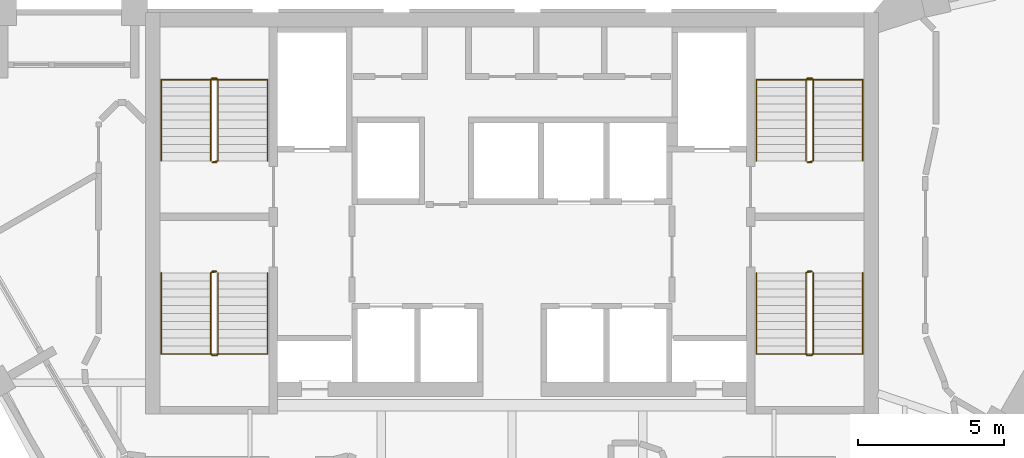
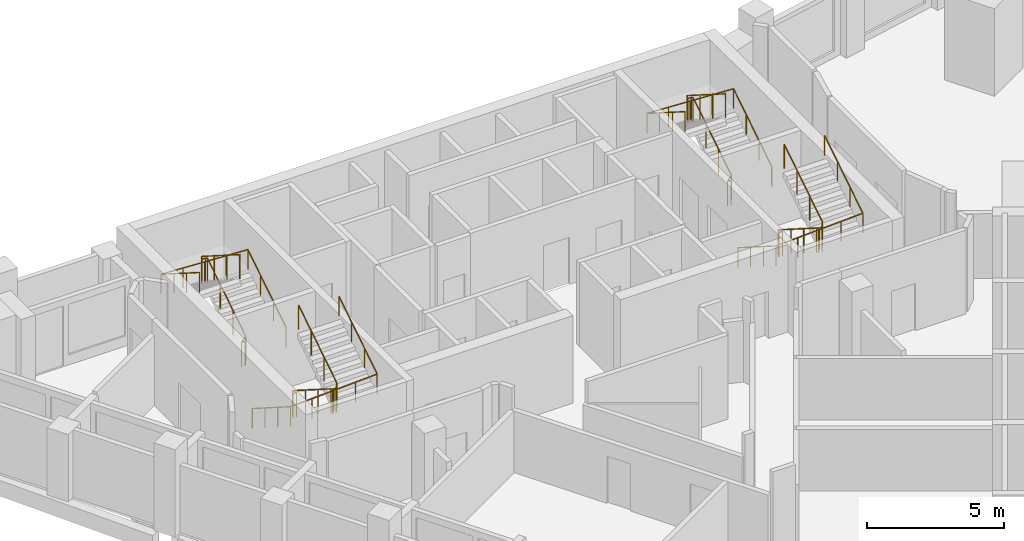
# One storey, part 9 of 9: 8 railings.
"""IFC4 building model written with IfcOpenShell, lengths in metres."""

from ifc_helpers import new_model, si_unit, direction, frame, origin, origin_2d, place, context, subcontext, project, spatial, circle, extrude, material, type_object, element, save


model = new_model("IFC4")

# Units and contexts
model_context = context("Model", 3, precision=1e-05, world=origin(), true_north=direction((0.0, 1.0)))
body_context = subcontext(model_context, "Body", "Model", "MODEL_VIEW")
ifc_project = project(units=[si_unit("LENGTHUNIT", "METRE"), si_unit("AREAUNIT", "SQUARE_METRE"), si_unit("VOLUMEUNIT", "CUBIC_METRE"), si_unit("PLANEANGLEUNIT", "RADIAN"), si_unit("MASSUNIT", "GRAM", prefix="KILO")], contexts=[model_context])

# Site, building, storey
site_placement = place(None, origin())
site = spatial("IfcSite", under=ifc_project, at=site_placement, CompositionType="ELEMENT")
building_placement = place(site_placement, origin())
building = spatial("IfcBuilding", under=site, at=building_placement, Name="Calabash Gate Tower", CompositionType="ELEMENT")
storey_placement = place(building_placement, frame((0.0, 0.0, 291.10009765625)))
storey = spatial("IfcBuildingStorey", under=building, at=storey_placement, Name="L70", CompositionType="ELEMENT", Elevation=291.10009765625)

# Railings
ifc_material_1 = material(Name="Black powder-coated steel balusters", Category="steel")
railing_type_1 = type_object("IfcRailingType", Name="Stair guard RL1100", PredefinedType="GUARDRAIL", material=ifc_material_1)
railing_1_placement = place(storey_placement, frame((-10.14990234375, 13.902587890625, 0.0)))
element("IfcRailing", 1, at=railing_1_placement, inside=storey, type_object=railing_type_1, Name="L70 ST1 stair guard 1", PredefinedType="GUARDRAIL", context=body_context, shape_type="SweptSolid", body=[
    extrude(circle(Radius=0.02392578125, at=origin_2d()), frame((0.0, 0.0, 1.076171875), z_axis=(-1.0, 0.0, 0.0), x_axis=(0.0, -1.0, 0.0)), (0.0, 0.0, 1.0), 0.150146484375),
    extrude(circle(Radius=0.02392578125, at=origin_2d()), frame((-0.150146484375, 0.0, 1.076171875), z_axis=(0.735524641326, 0.184105679453, 0.652003528208), x_axis=(-0.242814311512, 0.970072785993, 0.0)), (0.0, 0.0, 1.0), 0.271728515625),
    extrude(circle(Radius=0.02392578125, at=origin_2d()), frame((0.0498046875, 0.050048828125, 1.25341796875), z_axis=(0.0, 0.844041424197, 0.536277982245), x_axis=(-1.0, 0.0, 0.0)), (0.0, 0.0, 1.0), 3.3056640625),
    extrude(circle(Radius=0.02392578125, at=origin_2d()), frame((0.0498046875, 2.840087890625, 3.02587890625), z_axis=(-0.707106781187, 0.707106781187, 0.0), x_axis=(-0.707106781187, -0.707106781187, 0.0)), (0.0, 0.0, 1.0), 0.0703125),
    extrude(circle(Radius=0.02392578125, at=origin_2d()), frame((0.0, 2.889892578125, 3.02587890625), z_axis=(-1.0, 0.0, 0.0), x_axis=(0.0, -1.0, 0.0)), (0.0, 0.0, 1.0), 0.150146484375),
    extrude(circle(Radius=0.02392578125, at=origin_2d()), frame((-0.150146484375, 2.889892578125, 3.02587890625), z_axis=(-0.262321481514, -0.261041864531, 0.929001929653), x_axis=(0.705375805398, -0.708833529934, 0.0)), (0.0, 0.0, 1.0), 0.190673828125),
    extrude(circle(Radius=0.02392578125, at=origin_2d()), frame((-0.2001953125, 2.840087890625, 3.203125), z_axis=(0.0, -0.844041424197, 0.536277982245), x_axis=(1.0, 0.0, 0.0)), (0.0, 0.0, 1.0), 3.3056640625),
    extrude(circle(Radius=0.02099609375, at=origin_2d()), origin(), (0.0, 0.0, 1.0), 1.052001953125),
    extrude(circle(Radius=0.02099609375, at=origin_2d()), frame((-0.150146484375, 0.0, 0.0)), (0.0, 0.0, 1.0), 1.052001953125),
    extrude(circle(Radius=0.02099609375, at=origin_2d()), frame((0.0498046875, 0.050048828125, 0.17724609375)), (0.0, 0.0, 1.0), 1.052001953125),
    extrude(circle(Radius=0.02099609375, at=origin_2d()), frame((0.0498046875, 0.97998046875, 0.76806640625)), (0.0, 0.0, 1.0), 1.052001953125),
    extrude(circle(Radius=0.02099609375, at=origin_2d()), frame((0.0498046875, 1.91015625, 1.359130859375)), (0.0, 0.0, 1.0), 1.052001953125),
    extrude(circle(Radius=0.02099609375, at=origin_2d()), frame((0.0498046875, 2.840087890625, 1.949951171875)), (0.0, 0.0, 1.0), 1.052001953125),
    extrude(circle(Radius=0.02099609375, at=origin_2d()), frame((0.0, 2.889892578125, 1.949951171875)), (0.0, 0.0, 1.0), 1.052001953125),
    extrude(circle(Radius=0.02099609375, at=origin_2d()), frame((-0.150146484375, 2.889892578125, 1.949951171875)), (0.0, 0.0, 1.0), 1.052001953125),
    extrude(circle(Radius=0.02099609375, at=origin_2d()), frame((-0.2001953125, 2.840087890625, 2.127197265625)), (0.0, 0.0, 1.0), 1.052001953125),
    extrude(circle(Radius=0.02099609375, at=origin_2d()), frame((-0.2001953125, 1.91015625, 2.718017578125)), (0.0, 0.0, 1.0), 1.052001953125),
    extrude(circle(Radius=0.02099609375, at=origin_2d()), frame((-0.2001953125, 0.97998046875, 3.30908203125)), (0.0, 0.0, 1.0), 1.052001953125),
    extrude(circle(Radius=0.02099609375, at=origin_2d()), frame((-0.2001953125, 0.050048828125, 3.89990234375)), (0.0, 0.0, 1.0), 1.052001953125),
])
railing_2_placement = place(storey_placement, frame((-10.300048828125, 10.152587890625, 0.0)))
element("IfcRailing", 2, at=railing_2_placement, inside=storey, type_object=railing_type_1, Name="L70 ST2 stair guard 1", PredefinedType="GUARDRAIL", context=body_context, shape_type="SweptSolid", body=[
    extrude(circle(Radius=0.02392578125, at=origin_2d()), frame((0.0, 0.0, 1.076171875), z_axis=(1.0, 0.0, 0.0), x_axis=(0.0, 1.0, 0.0)), (0.0, 0.0, 1.0), 0.150146484375),
    extrude(circle(Radius=0.02392578125, at=origin_2d()), frame((0.150146484375, 0.0, 1.076171875), z_axis=(-0.735936453418, -0.183984113355, 0.651573006319), x_axis=(0.242535625036, -0.970142500145, 0.0)), (0.0, 0.0, 1.0), 0.27197265625),
    extrude(circle(Radius=0.02392578125, at=origin_2d()), frame((-0.050048828125, -0.050048828125, 1.25341796875), z_axis=(0.0, -0.844041424197, 0.536277982245), x_axis=(1.0, 0.0, 0.0)), (0.0, 0.0, 1.0), 3.3056640625),
    extrude(circle(Radius=0.02392578125, at=origin_2d()), frame((-0.050048828125, -2.840087890625, 3.02587890625), z_axis=(0.708833529934, -0.705375805398, 0.0), x_axis=(0.705375805398, 0.708833529934, 0.0)), (0.0, 0.0, 1.0), 0.070556640625),
    extrude(circle(Radius=0.02392578125, at=origin_2d()), frame((0.0, -2.889892578125, 3.02587890625), z_axis=(1.0, 0.0, 0.0), x_axis=(0.0, 1.0, 0.0)), (0.0, 0.0, 1.0), 0.150146484375),
    extrude(circle(Radius=0.02392578125, at=origin_2d()), frame((0.150146484375, -2.889892578125, 3.02587890625), z_axis=(0.261129318932, 0.261129318932, 0.929313164433), x_axis=(-0.707106781187, 0.707106781187, 0.0)), (0.0, 0.0, 1.0), 0.190673828125),
    extrude(circle(Radius=0.02392578125, at=origin_2d()), frame((0.199951171875, -2.840087890625, 3.203125), z_axis=(0.0, 0.844041424197, 0.536277982245), x_axis=(-1.0, 0.0, 0.0)), (0.0, 0.0, 1.0), 3.3056640625),
    extrude(circle(Radius=0.02099609375, at=origin_2d()), origin(), (0.0, 0.0, 1.0), 1.052001953125),
    extrude(circle(Radius=0.02099609375, at=origin_2d()), frame((0.150146484375, 0.0, 0.0)), (0.0, 0.0, 1.0), 1.052001953125),
    extrude(circle(Radius=0.02099609375, at=origin_2d()), frame((-0.050048828125, -0.050048828125, 0.17724609375)), (0.0, 0.0, 1.0), 1.052001953125),
    extrude(circle(Radius=0.02099609375, at=origin_2d()), frame((-0.050048828125, -0.97998046875, 0.76806640625)), (0.0, 0.0, 1.0), 1.052001953125),
    extrude(circle(Radius=0.02099609375, at=origin_2d()), frame((-0.050048828125, -1.91015625, 1.359130859375)), (0.0, 0.0, 1.0), 1.052001953125),
    extrude(circle(Radius=0.02099609375, at=origin_2d()), frame((-0.050048828125, -2.840087890625, 1.949951171875)), (0.0, 0.0, 1.0), 1.052001953125),
    extrude(circle(Radius=0.02099609375, at=origin_2d()), frame((0.0, -2.889892578125, 1.949951171875)), (0.0, 0.0, 1.0), 1.052001953125),
    extrude(circle(Radius=0.02099609375, at=origin_2d()), frame((0.150146484375, -2.889892578125, 1.949951171875)), (0.0, 0.0, 1.0), 1.052001953125),
    extrude(circle(Radius=0.02099609375, at=origin_2d()), frame((0.199951171875, -2.840087890625, 2.127197265625)), (0.0, 0.0, 1.0), 1.052001953125),
    extrude(circle(Radius=0.02099609375, at=origin_2d()), frame((0.199951171875, -1.91015625, 2.718017578125)), (0.0, 0.0, 1.0), 1.052001953125),
    extrude(circle(Radius=0.02099609375, at=origin_2d()), frame((0.199951171875, -0.97998046875, 3.30908203125)), (0.0, 0.0, 1.0), 1.052001953125),
    extrude(circle(Radius=0.02099609375, at=origin_2d()), frame((0.199951171875, -0.050048828125, 3.89990234375)), (0.0, 0.0, 1.0), 1.052001953125),
])
railing_3_placement = place(storey_placement, frame((10.300048828125, 13.902587890625, 0.0)))
element("IfcRailing", 3, at=railing_3_placement, inside=storey, type_object=railing_type_1, Name="L70 ST3 stair guard 1", PredefinedType="GUARDRAIL", context=body_context, shape_type="SweptSolid", body=[
    extrude(circle(Radius=0.02392578125, at=origin_2d()), frame((0.0, 0.0, 1.076171875), z_axis=(-1.0, 0.0, 0.0), x_axis=(0.0, -1.0, 0.0)), (0.0, 0.0, 1.0), 0.150146484375),
    extrude(circle(Radius=0.02392578125, at=origin_2d()), frame((-0.150146484375, 0.0, 1.076171875), z_axis=(0.735936453418, 0.183984113355, 0.651573006319), x_axis=(-0.242535625036, 0.970142500145, 0.0)), (0.0, 0.0, 1.0), 0.27197265625),
    extrude(circle(Radius=0.02392578125, at=origin_2d()), frame((0.050048828125, 0.050048828125, 1.25341796875), z_axis=(0.0, 0.844041424197, 0.536277982245), x_axis=(-1.0, 0.0, 0.0)), (0.0, 0.0, 1.0), 3.3056640625),
    extrude(circle(Radius=0.02392578125, at=origin_2d()), frame((0.050048828125, 2.840087890625, 3.02587890625), z_axis=(-0.708833529934, 0.705375805398, 0.0), x_axis=(-0.705375805398, -0.708833529934, 0.0)), (0.0, 0.0, 1.0), 0.070556640625),
    extrude(circle(Radius=0.02392578125, at=origin_2d()), frame((0.0, 2.889892578125, 3.02587890625), z_axis=(-1.0, 0.0, 0.0), x_axis=(0.0, -1.0, 0.0)), (0.0, 0.0, 1.0), 0.150146484375),
    extrude(circle(Radius=0.02392578125, at=origin_2d()), frame((-0.150146484375, 2.889892578125, 3.02587890625), z_axis=(-0.261129318932, -0.261129318932, 0.929313164433), x_axis=(0.707106781187, -0.707106781187, 0.0)), (0.0, 0.0, 1.0), 0.190673828125),
    extrude(circle(Radius=0.02392578125, at=origin_2d()), frame((-0.199951171875, 2.840087890625, 3.203125), z_axis=(0.0, -0.844041424197, 0.536277982245), x_axis=(1.0, 0.0, 0.0)), (0.0, 0.0, 1.0), 3.3056640625),
    extrude(circle(Radius=0.02099609375, at=origin_2d()), origin(), (0.0, 0.0, 1.0), 1.052001953125),
    extrude(circle(Radius=0.02099609375, at=origin_2d()), frame((-0.150146484375, 0.0, 0.0)), (0.0, 0.0, 1.0), 1.052001953125),
    extrude(circle(Radius=0.02099609375, at=origin_2d()), frame((0.050048828125, 0.050048828125, 0.17724609375)), (0.0, 0.0, 1.0), 1.052001953125),
    extrude(circle(Radius=0.02099609375, at=origin_2d()), frame((0.050048828125, 0.97998046875, 0.76806640625)), (0.0, 0.0, 1.0), 1.052001953125),
    extrude(circle(Radius=0.02099609375, at=origin_2d()), frame((0.050048828125, 1.91015625, 1.359130859375)), (0.0, 0.0, 1.0), 1.052001953125),
    extrude(circle(Radius=0.02099609375, at=origin_2d()), frame((0.050048828125, 2.840087890625, 1.949951171875)), (0.0, 0.0, 1.0), 1.052001953125),
    extrude(circle(Radius=0.02099609375, at=origin_2d()), frame((0.0, 2.889892578125, 1.949951171875)), (0.0, 0.0, 1.0), 1.052001953125),
    extrude(circle(Radius=0.02099609375, at=origin_2d()), frame((-0.150146484375, 2.889892578125, 1.949951171875)), (0.0, 0.0, 1.0), 1.052001953125),
    extrude(circle(Radius=0.02099609375, at=origin_2d()), frame((-0.199951171875, 2.840087890625, 2.127197265625)), (0.0, 0.0, 1.0), 1.052001953125),
    extrude(circle(Radius=0.02099609375, at=origin_2d()), frame((-0.199951171875, 1.91015625, 2.718017578125)), (0.0, 0.0, 1.0), 1.052001953125),
    extrude(circle(Radius=0.02099609375, at=origin_2d()), frame((-0.199951171875, 0.97998046875, 3.30908203125)), (0.0, 0.0, 1.0), 1.052001953125),
    extrude(circle(Radius=0.02099609375, at=origin_2d()), frame((-0.199951171875, 0.050048828125, 3.89990234375)), (0.0, 0.0, 1.0), 1.052001953125),
])
railing_4_placement = place(storey_placement, frame((10.14990234375, 10.152587890625, 0.0)))
element("IfcRailing", 4, at=railing_4_placement, inside=storey, type_object=railing_type_1, Name="L70 ST4 stair guard 1", PredefinedType="GUARDRAIL", context=body_context, shape_type="SweptSolid", body=[
    extrude(circle(Radius=0.02392578125, at=origin_2d()), frame((0.0, 0.0, 1.076171875), z_axis=(1.0, 0.0, 0.0), x_axis=(0.0, 1.0, 0.0)), (0.0, 0.0, 1.0), 0.150146484375),
    extrude(circle(Radius=0.02392578125, at=origin_2d()), frame((0.150146484375, 0.0, 1.076171875), z_axis=(-0.735524641326, -0.184105679453, 0.652003528208), x_axis=(0.242814311512, -0.970072785993, 0.0)), (0.0, 0.0, 1.0), 0.271728515625),
    extrude(circle(Radius=0.02392578125, at=origin_2d()), frame((-0.0498046875, -0.050048828125, 1.25341796875), z_axis=(0.0, -0.844041424197, 0.536277982245), x_axis=(1.0, 0.0, 0.0)), (0.0, 0.0, 1.0), 3.3056640625),
    extrude(circle(Radius=0.02392578125, at=origin_2d()), frame((-0.0498046875, -2.840087890625, 3.02587890625), z_axis=(0.707106781187, -0.707106781187, 0.0), x_axis=(0.707106781187, 0.707106781187, 0.0)), (0.0, 0.0, 1.0), 0.0703125),
    extrude(circle(Radius=0.02392578125, at=origin_2d()), frame((0.0, -2.889892578125, 3.02587890625), z_axis=(1.0, 0.0, 0.0), x_axis=(0.0, 1.0, 0.0)), (0.0, 0.0, 1.0), 0.150146484375),
    extrude(circle(Radius=0.02392578125, at=origin_2d()), frame((0.150146484375, -2.889892578125, 3.02587890625), z_axis=(0.262321481514, 0.261041864531, 0.929001929653), x_axis=(-0.705375805398, 0.708833529934, 0.0)), (0.0, 0.0, 1.0), 0.190673828125),
    extrude(circle(Radius=0.02392578125, at=origin_2d()), frame((0.2001953125, -2.840087890625, 3.203125), z_axis=(0.0, 0.844041424197, 0.536277982245), x_axis=(-1.0, 0.0, 0.0)), (0.0, 0.0, 1.0), 3.3056640625),
    extrude(circle(Radius=0.02099609375, at=origin_2d()), origin(), (0.0, 0.0, 1.0), 1.052001953125),
    extrude(circle(Radius=0.02099609375, at=origin_2d()), frame((0.150146484375, 0.0, 0.0)), (0.0, 0.0, 1.0), 1.052001953125),
    extrude(circle(Radius=0.02099609375, at=origin_2d()), frame((-0.0498046875, -0.050048828125, 0.17724609375)), (0.0, 0.0, 1.0), 1.052001953125),
    extrude(circle(Radius=0.02099609375, at=origin_2d()), frame((-0.0498046875, -0.97998046875, 0.76806640625)), (0.0, 0.0, 1.0), 1.052001953125),
    extrude(circle(Radius=0.02099609375, at=origin_2d()), frame((-0.0498046875, -1.91015625, 1.359130859375)), (0.0, 0.0, 1.0), 1.052001953125),
    extrude(circle(Radius=0.02099609375, at=origin_2d()), frame((-0.0498046875, -2.840087890625, 1.949951171875)), (0.0, 0.0, 1.0), 1.052001953125),
    extrude(circle(Radius=0.02099609375, at=origin_2d()), frame((0.0, -2.889892578125, 1.949951171875)), (0.0, 0.0, 1.0), 1.052001953125),
    extrude(circle(Radius=0.02099609375, at=origin_2d()), frame((0.150146484375, -2.889892578125, 1.949951171875)), (0.0, 0.0, 1.0), 1.052001953125),
    extrude(circle(Radius=0.02099609375, at=origin_2d()), frame((0.2001953125, -2.840087890625, 2.127197265625)), (0.0, 0.0, 1.0), 1.052001953125),
    extrude(circle(Radius=0.02099609375, at=origin_2d()), frame((0.2001953125, -1.91015625, 2.718017578125)), (0.0, 0.0, 1.0), 1.052001953125),
    extrude(circle(Radius=0.02099609375, at=origin_2d()), frame((0.2001953125, -0.97998046875, 3.30908203125)), (0.0, 0.0, 1.0), 1.052001953125),
    extrude(circle(Radius=0.02099609375, at=origin_2d()), frame((0.2001953125, -0.050048828125, 3.89990234375)), (0.0, 0.0, 1.0), 1.052001953125),
])
ifc_material_2 = material(Name="Black powder-coated steel tube 48 mm", Category="steel")
railing_type_2 = type_object("IfcRailingType", Name="Stair handrail RL900", PredefinedType="HANDRAIL", material=ifc_material_2)
railing_5_placement = place(storey_placement, frame((-8.39990234375, 13.95263671875, 0.17724609375)))
element("IfcRailing", 5, at=railing_5_placement, inside=storey, type_object=railing_type_2, Name="L70 ST1 stair handrail 1", PredefinedType="HANDRAIL", context=body_context, shape_type="SweptSolid", body=[
    extrude(circle(Radius=0.02392578125, at=origin_2d()), frame((0.0, 0.0, 0.8759765625), z_axis=(0.0, 0.844041424197, 0.536277982245), x_axis=(-1.0, 0.0, 0.0)), (0.0, 0.0, 1.0), 3.3056640625),
    extrude(circle(Radius=0.02392578125, at=origin_2d()), frame((0.0, 2.7900390625, 2.6484375), z_axis=(-0.998823110844, 0.0, 0.048501476722), x_axis=(0.0, -1.0, 0.0)), (0.0, 0.0, 1.0), 3.654541015625),
    extrude(circle(Radius=0.02392578125, at=origin_2d()), frame((-3.650146484375, 2.7900390625, 2.82568359375), z_axis=(0.0, -0.844041424197, 0.536277982245), x_axis=(1.0, 0.0, 0.0)), (0.0, 0.0, 1.0), 3.3056640625),
    extrude(circle(Radius=0.02099609375, at=origin_2d()), origin(), (0.0, 0.0, 1.0), 0.851806640625),
    extrude(circle(Radius=0.02099609375, at=origin_2d()), frame((0.0, 0.929931640625, 0.5908203125)), (0.0, 0.0, 1.0), 0.851806640625),
    extrude(circle(Radius=0.02099609375, at=origin_2d()), frame((0.0, 1.860107421875, 1.181884765625)), (0.0, 0.0, 1.0), 0.851806640625),
    extrude(circle(Radius=0.02099609375, at=origin_2d()), frame((0.0, 2.7900390625, 1.772705078125)), (0.0, 0.0, 1.0), 0.851806640625),
    extrude(circle(Radius=0.02099609375, at=origin_2d()), frame((-0.91259765625, 2.7900390625, 1.81689453125)), (0.0, 0.0, 1.0), 0.851806640625),
    extrude(circle(Radius=0.02099609375, at=origin_2d()), frame((-1.8251953125, 2.7900390625, 1.861328125)), (0.0, 0.0, 1.0), 0.851806640625),
    extrude(circle(Radius=0.02099609375, at=origin_2d()), frame((-2.737548828125, 2.7900390625, 1.90576171875)), (0.0, 0.0, 1.0), 0.851806640625),
    extrude(circle(Radius=0.02099609375, at=origin_2d()), frame((-3.650146484375, 2.7900390625, 1.949951171875)), (0.0, 0.0, 1.0), 0.851806640625),
    extrude(circle(Radius=0.02099609375, at=origin_2d()), frame((-3.650146484375, 1.860107421875, 2.540771484375)), (0.0, 0.0, 1.0), 0.851806640625),
    extrude(circle(Radius=0.02099609375, at=origin_2d()), frame((-3.650146484375, 0.929931640625, 3.1318359375)), (0.0, 0.0, 1.0), 0.851806640625),
    extrude(circle(Radius=0.02099609375, at=origin_2d()), frame((-3.650146484375, 0.0, 3.72265625)), (0.0, 0.0, 1.0), 0.851806640625),
])
railing_6_placement = place(storey_placement, frame((-12.050048828125, 10.1025390625, 0.17724609375)))
element("IfcRailing", 6, at=railing_6_placement, inside=storey, type_object=railing_type_2, Name="L70 ST2 stair handrail 1", PredefinedType="HANDRAIL", context=body_context, shape_type="SweptSolid", body=[
    extrude(circle(Radius=0.02392578125, at=origin_2d()), frame((0.0, 0.0, 0.8759765625), z_axis=(0.0, -0.844041424197, 0.536277982245), x_axis=(1.0, 0.0, 0.0)), (0.0, 0.0, 1.0), 3.3056640625),
    extrude(circle(Radius=0.02392578125, at=origin_2d()), frame((0.0, -2.7900390625, 2.6484375), z_axis=(0.998823110844, 0.0, 0.048501476722), x_axis=(0.0, 1.0, 0.0)), (0.0, 0.0, 1.0), 3.654541015625),
    extrude(circle(Radius=0.02392578125, at=origin_2d()), frame((3.650146484375, -2.7900390625, 2.82568359375), z_axis=(0.0, 0.844041424197, 0.536277982245), x_axis=(-1.0, 0.0, 0.0)), (0.0, 0.0, 1.0), 3.3056640625),
    extrude(circle(Radius=0.02099609375, at=origin_2d()), origin(), (0.0, 0.0, 1.0), 0.851806640625),
    extrude(circle(Radius=0.02099609375, at=origin_2d()), frame((0.0, -0.929931640625, 0.5908203125)), (0.0, 0.0, 1.0), 0.851806640625),
    extrude(circle(Radius=0.02099609375, at=origin_2d()), frame((0.0, -1.860107421875, 1.181884765625)), (0.0, 0.0, 1.0), 0.851806640625),
    extrude(circle(Radius=0.02099609375, at=origin_2d()), frame((0.0, -2.7900390625, 1.772705078125)), (0.0, 0.0, 1.0), 0.851806640625),
    extrude(circle(Radius=0.02099609375, at=origin_2d()), frame((0.91259765625, -2.7900390625, 1.81689453125)), (0.0, 0.0, 1.0), 0.851806640625),
    extrude(circle(Radius=0.02099609375, at=origin_2d()), frame((1.8251953125, -2.7900390625, 1.861328125)), (0.0, 0.0, 1.0), 0.851806640625),
    extrude(circle(Radius=0.02099609375, at=origin_2d()), frame((2.737548828125, -2.7900390625, 1.90576171875)), (0.0, 0.0, 1.0), 0.851806640625),
    extrude(circle(Radius=0.02099609375, at=origin_2d()), frame((3.650146484375, -2.7900390625, 1.949951171875)), (0.0, 0.0, 1.0), 0.851806640625),
    extrude(circle(Radius=0.02099609375, at=origin_2d()), frame((3.650146484375, -1.860107421875, 2.540771484375)), (0.0, 0.0, 1.0), 0.851806640625),
    extrude(circle(Radius=0.02099609375, at=origin_2d()), frame((3.650146484375, -0.929931640625, 3.1318359375)), (0.0, 0.0, 1.0), 0.851806640625),
    extrude(circle(Radius=0.02099609375, at=origin_2d()), frame((3.650146484375, 0.0, 3.72265625)), (0.0, 0.0, 1.0), 0.851806640625),
])
railing_7_placement = place(storey_placement, frame((12.050048828125, 13.95263671875, 0.17724609375)))
element("IfcRailing", 7, at=railing_7_placement, inside=storey, type_object=railing_type_2, Name="L70 ST3 stair handrail 1", PredefinedType="HANDRAIL", context=body_context, shape_type="SweptSolid", body=[
    extrude(circle(Radius=0.02392578125, at=origin_2d()), frame((0.0, 0.0, 0.8759765625), z_axis=(0.0, 0.844041424197, 0.536277982245), x_axis=(-1.0, 0.0, 0.0)), (0.0, 0.0, 1.0), 3.3056640625),
    extrude(circle(Radius=0.02392578125, at=origin_2d()), frame((0.0, 2.7900390625, 2.6484375), z_axis=(-0.998823110844, 0.0, 0.048501476722), x_axis=(0.0, -1.0, 0.0)), (0.0, 0.0, 1.0), 3.654541015625),
    extrude(circle(Radius=0.02392578125, at=origin_2d()), frame((-3.650146484375, 2.7900390625, 2.82568359375), z_axis=(0.0, -0.844041424197, 0.536277982245), x_axis=(1.0, 0.0, 0.0)), (0.0, 0.0, 1.0), 3.3056640625),
    extrude(circle(Radius=0.02099609375, at=origin_2d()), origin(), (0.0, 0.0, 1.0), 0.851806640625),
    extrude(circle(Radius=0.02099609375, at=origin_2d()), frame((0.0, 0.929931640625, 0.5908203125)), (0.0, 0.0, 1.0), 0.851806640625),
    extrude(circle(Radius=0.02099609375, at=origin_2d()), frame((0.0, 1.860107421875, 1.181884765625)), (0.0, 0.0, 1.0), 0.851806640625),
    extrude(circle(Radius=0.02099609375, at=origin_2d()), frame((0.0, 2.7900390625, 1.772705078125)), (0.0, 0.0, 1.0), 0.851806640625),
    extrude(circle(Radius=0.02099609375, at=origin_2d()), frame((-0.91259765625, 2.7900390625, 1.81689453125)), (0.0, 0.0, 1.0), 0.851806640625),
    extrude(circle(Radius=0.02099609375, at=origin_2d()), frame((-1.8251953125, 2.7900390625, 1.861328125)), (0.0, 0.0, 1.0), 0.851806640625),
    extrude(circle(Radius=0.02099609375, at=origin_2d()), frame((-2.737548828125, 2.7900390625, 1.90576171875)), (0.0, 0.0, 1.0), 0.851806640625),
    extrude(circle(Radius=0.02099609375, at=origin_2d()), frame((-3.650146484375, 2.7900390625, 1.949951171875)), (0.0, 0.0, 1.0), 0.851806640625),
    extrude(circle(Radius=0.02099609375, at=origin_2d()), frame((-3.650146484375, 1.860107421875, 2.540771484375)), (0.0, 0.0, 1.0), 0.851806640625),
    extrude(circle(Radius=0.02099609375, at=origin_2d()), frame((-3.650146484375, 0.929931640625, 3.1318359375)), (0.0, 0.0, 1.0), 0.851806640625),
    extrude(circle(Radius=0.02099609375, at=origin_2d()), frame((-3.650146484375, 0.0, 3.72265625)), (0.0, 0.0, 1.0), 0.851806640625),
])
railing_8_placement = place(storey_placement, frame((8.39990234375, 10.1025390625, 0.17724609375)))
element("IfcRailing", 8, at=railing_8_placement, inside=storey, type_object=railing_type_2, Name="L70 ST4 stair handrail 1", PredefinedType="HANDRAIL", context=body_context, shape_type="SweptSolid", body=[
    extrude(circle(Radius=0.02392578125, at=origin_2d()), frame((0.0, 0.0, 0.8759765625), z_axis=(0.0, -0.844041424197, 0.536277982245), x_axis=(1.0, 0.0, 0.0)), (0.0, 0.0, 1.0), 3.3056640625),
    extrude(circle(Radius=0.02392578125, at=origin_2d()), frame((0.0, -2.7900390625, 2.6484375), z_axis=(0.998823110844, 0.0, 0.048501476722), x_axis=(0.0, 1.0, 0.0)), (0.0, 0.0, 1.0), 3.654541015625),
    extrude(circle(Radius=0.02392578125, at=origin_2d()), frame((3.650146484375, -2.7900390625, 2.82568359375), z_axis=(0.0, 0.844041424197, 0.536277982245), x_axis=(-1.0, 0.0, 0.0)), (0.0, 0.0, 1.0), 3.3056640625),
    extrude(circle(Radius=0.02099609375, at=origin_2d()), origin(), (0.0, 0.0, 1.0), 0.851806640625),
    extrude(circle(Radius=0.02099609375, at=origin_2d()), frame((0.0, -0.929931640625, 0.5908203125)), (0.0, 0.0, 1.0), 0.851806640625),
    extrude(circle(Radius=0.02099609375, at=origin_2d()), frame((0.0, -1.860107421875, 1.181884765625)), (0.0, 0.0, 1.0), 0.851806640625),
    extrude(circle(Radius=0.02099609375, at=origin_2d()), frame((0.0, -2.7900390625, 1.772705078125)), (0.0, 0.0, 1.0), 0.851806640625),
    extrude(circle(Radius=0.02099609375, at=origin_2d()), frame((0.91259765625, -2.7900390625, 1.81689453125)), (0.0, 0.0, 1.0), 0.851806640625),
    extrude(circle(Radius=0.02099609375, at=origin_2d()), frame((1.8251953125, -2.7900390625, 1.861328125)), (0.0, 0.0, 1.0), 0.851806640625),
    extrude(circle(Radius=0.02099609375, at=origin_2d()), frame((2.737548828125, -2.7900390625, 1.90576171875)), (0.0, 0.0, 1.0), 0.851806640625),
    extrude(circle(Radius=0.02099609375, at=origin_2d()), frame((3.650146484375, -2.7900390625, 1.949951171875)), (0.0, 0.0, 1.0), 0.851806640625),
    extrude(circle(Radius=0.02099609375, at=origin_2d()), frame((3.650146484375, -1.860107421875, 2.540771484375)), (0.0, 0.0, 1.0), 0.851806640625),
    extrude(circle(Radius=0.02099609375, at=origin_2d()), frame((3.650146484375, -0.929931640625, 3.1318359375)), (0.0, 0.0, 1.0), 0.851806640625),
    extrude(circle(Radius=0.02099609375, at=origin_2d()), frame((3.650146484375, 0.0, 3.72265625)), (0.0, 0.0, 1.0), 0.851806640625),
])

save(model, "model.ifc")
